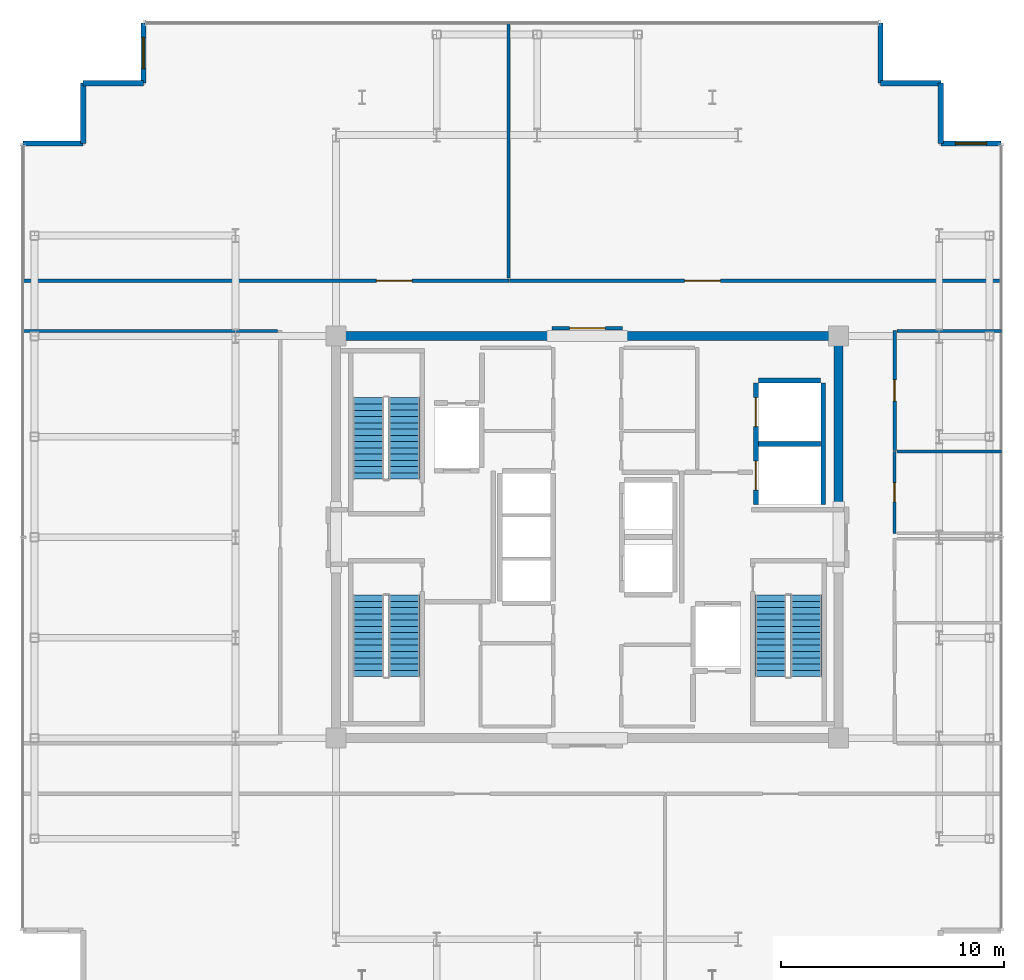
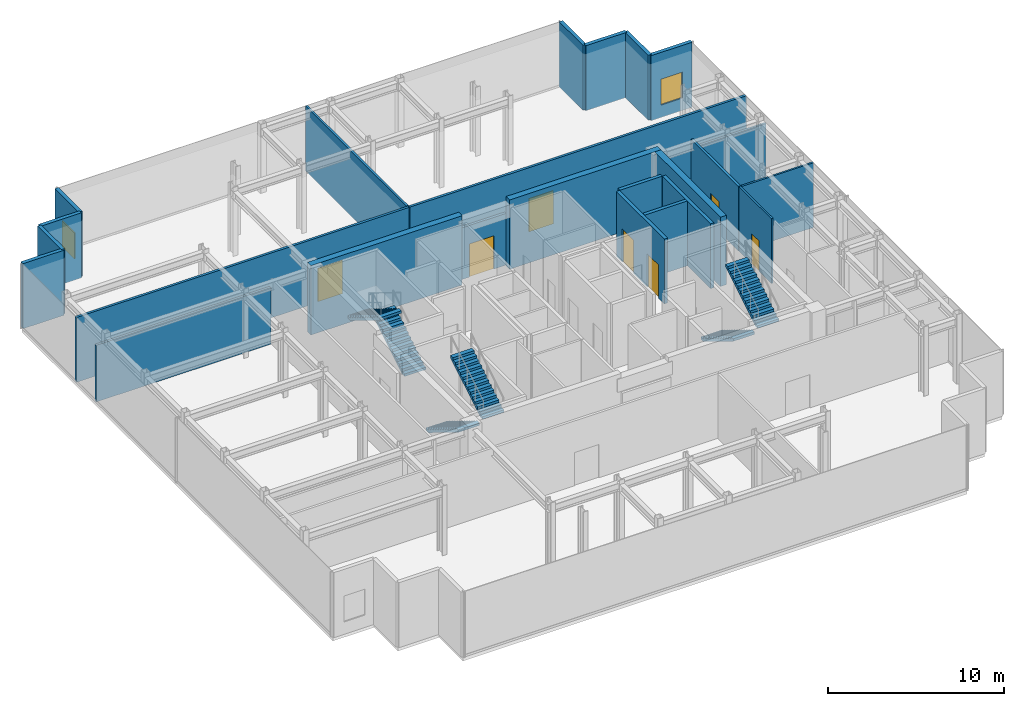
# One storey, part 15 of 17: 24 walls, 7 doors, 6 stair flights, 2 windows, 9 openings, 3 elements without a shape of their own.
"""IFC4 building model written with IfcOpenShell, lengths in metres."""

from ifc_helpers import new_model, si_unit, direction, frame, frame_2d, origin, place, context, subcontext, project, spatial, polyline, rectangle, outline, extrude, source, transform, mapped, material, layer, layer_set, type_object, element, fill, aggregate, save


model = new_model("IFC4")

# Units and contexts
model_context = context("Model", 3, precision=1e-05, world=origin(), true_north=direction((0.0, 1.0)))
body_context = subcontext(model_context, "Body", "Model", "MODEL_VIEW")
ifc_project = project(units=[si_unit("LENGTHUNIT", "METRE"), si_unit("AREAUNIT", "SQUARE_METRE"), si_unit("VOLUMEUNIT", "CUBIC_METRE"), si_unit("PLANEANGLEUNIT", "RADIAN"), si_unit("MASSUNIT", "GRAM", prefix="KILO")], contexts=[model_context])

# Site, building, storey
site_placement = place(None, origin())
site = spatial("IfcSite", under=ifc_project, at=site_placement, CompositionType="ELEMENT")
building_placement = place(site_placement, origin())
building = spatial("IfcBuilding", under=site, at=building_placement, Name="Nefas-Gora Pilgrimage Tower", CompositionType="ELEMENT")
storey_placement = place(building_placement, frame((0.0, 0.0, 349.0)))
storey = spatial("IfcBuildingStorey", under=building, at=storey_placement, Name="L88", CompositionType="ELEMENT", Elevation=349.0)

# Walls
ifc_material_1 = material(Name="Concrete C50/60", Category="concrete")
ifc_layer_1 = layer(ifc_material_1, 0.39990234375)
ifc_layer_set_1 = layer_set([ifc_layer_1], Name="Concrete C50/60")
wall_type_1 = type_object("IfcWallType", Name="SW-CORE-400", PredefinedType="SHEAR", material=ifc_layer_set_1)
shared_shape_1 = source(origin(), body_context, "Body", "SweptSolid", [
    extrude(rectangle(XDim=9.89990234375, YDim=0.39990234375, at=frame_2d((4.949951171875, 0.0))), origin(), (0.0, 0.0, 1.0), 4.800048828125),
])
for number, where, z_axis, x_axis, name in (
    (1, (-11.449951171875, 9.0, 0.0), (0.0, 0.0, 1.0), (1.0, 0.0, 0.0), "L88 Core Shear Wall N-West"),
    (2, (1.550048828125, 9.0, 0.0), (0.0, 0.0, 1.0), (1.0, 0.0, 0.0), "L88 Core Shear Wall N-East"),
):
    element("IfcWall", number, at=place(storey_placement, frame(where, z_axis=z_axis, x_axis=x_axis)), inside=storey, type_object=wall_type_1, Name=name, PredefinedType="SHEAR", context=body_context, shape_type="MappedRepresentation", body=[
        mapped(shared_shape_1, transform((0.0, 0.0, 0.0), x_axis=(1.0, 0.0, 0.0), y_axis=(0.0, 1.0, 0.0), z_axis=(0.0, 0.0, 1.0), scale=1.0)),
    ])
shared_shape_2 = source(origin(), body_context, "Body", "SweptSolid", [
    extrude(rectangle(XDim=7.449951171875, YDim=0.39990234375, at=frame_2d((3.72509765625, 0.0))), origin(), (0.0, 0.0, 1.0), 4.800048828125),
])
wall_1_placement = place(storey_placement, frame((11.25, 1.35009765625, 0.0), z_axis=(0.0, 0.0, 1.0), x_axis=(0.0, 1.0, 0.0)))
element("IfcWall", 3, at=wall_1_placement, inside=storey, type_object=wall_type_1, Name="L88 Core Shear Wall E-North", PredefinedType="SHEAR", context=body_context, shape_type="MappedRepresentation", body=[
    mapped(shared_shape_2, transform((0.0, 0.0, 0.0), x_axis=(1.0, 0.0, 0.0), y_axis=(0.0, 1.0, 0.0), z_axis=(0.0, 0.0, 1.0), scale=1.0)),
])

# Wall, opening, window
ifc_material_2 = material(Name="Precast concrete C45/55", Category="concrete")
ifc_layer_2 = layer(ifc_material_2, 0.239990234375)
ifc_layer_set_2 = layer_set([ifc_layer_2], Name="Precast concrete C45/55")
wall_type_2 = type_object("IfcWallType", Name="EW-SERR-240", PredefinedType="SHEAR", material=ifc_layer_set_2)
shared_shape_3 = source(origin(), body_context, "Body", "SweptSolid", [
    extrude(rectangle(XDim=2.699951171875, YDim=0.239990234375, at=frame_2d((1.35009765625, 0.0))), origin(), (0.0, 0.0, 1.0), 4.5),
])
wall_2_placement = place(storey_placement, frame((18.52001953125, 17.6201171875, 0.0), z_axis=(0.0, 0.0, 1.0), x_axis=(-1.0, 0.0, 0.0)))
wall_2 = element("IfcWall", 4, at=wall_2_placement, inside=storey, type_object=wall_type_2, Name="L88 Serrated Corner Shear Pier Wall 1", PredefinedType="SHEAR", context=body_context, shape_type="MappedRepresentation", body=[
    mapped(shared_shape_3, transform((0.0, 0.0, 0.0), x_axis=(1.0, 0.0, 0.0), y_axis=(0.0, 1.0, 0.0), z_axis=(0.0, 0.0, 1.0), scale=1.0)),
])
opening_1_placement = place(wall_2_placement, frame((0.64990234375, 0.0, 0.85009765625)))
opening_1 = element("IfcOpeningElement", 5, at=opening_1_placement, cuts=wall_2, Name="Opening W-V2", PredefinedType="OPENING", context=body_context, shape_type="SweptSolid", body=[
    extrude(rectangle(XDim=1.39990234375, YDim=1.800048828125, at=frame_2d((0.699951171875, 0.89990234375))), frame((0.0, 0.1298828125, 0.0), z_axis=(0.0, -1.0, 0.0), x_axis=(1.0, 0.0, 0.0)), (0.0, 0.0, 1.0), 0.260009765625),
])
ifc_material_3 = material(Name="Dark ceramic-fritted operable aluminium-glass window", Category="aluminium")
window_type = type_object("IfcWindowType", Name="WIN-VENT-1400x1800", PartitioningType="SINGLE_PANEL", PredefinedType="WINDOW", material=ifc_material_3)
shared_shape_4 = source(origin(), body_context, "Body", "SweptSolid", [
    extrude(rectangle(XDim=1.39990234375, YDim=1.800048828125, at=frame_2d((0.699951171875, 0.89990234375))), frame((0.0, 0.030029296875, 0.0), z_axis=(0.0, -1.0, 0.0), x_axis=(1.0, 0.0, 0.0)), (0.0, 0.0, 1.0), 0.06005859375),
])
window_1_placement = place(opening_1_placement, origin())
window_1 = element("IfcWindow", 6, at=window_1_placement, inside=storey, type_object=window_type, Name="L88 Operable Parallel-Outswing Window 1", OverallHeight=1.800048828125, OverallWidth=1.39990234375, PartitioningType="SINGLE_PANEL", PredefinedType="WINDOW", context=body_context, shape_type="MappedRepresentation", body=[
    mapped(shared_shape_4, transform((0.0, 0.0, 0.0), x_axis=(1.0, 0.0, 0.0), y_axis=(0.0, 1.0, 0.0), z_axis=(0.0, 0.0, 1.0), scale=1.0)),
])
fill(opening_1, window_1)

# Walls
for number, where, z_axis, x_axis, name in (
    (7, (15.820068359375, 17.6201171875, 0.0), (0.0, 0.0, 1.0), (0.0, 1.0, 0.0), "L88 Serrated Corner Shear Pier Wall 2"),
    (8, (15.820068359375, 20.320068359375, 0.0), (0.0, 0.0, 1.0), (-1.0, 0.0, 0.0), "L88 Serrated Corner Shear Pier Wall 3"),
    (9, (13.1201171875, 20.320068359375, 0.0), (0.0, 0.0, 1.0), (0.0, 1.0, 0.0), "L88 Serrated Corner Shear Pier Wall 4"),
):
    element("IfcWall", number, at=place(storey_placement, frame(where, z_axis=z_axis, x_axis=x_axis)), inside=storey, type_object=wall_type_2, Name=name, PredefinedType="SHEAR", context=body_context, shape_type="MappedRepresentation", body=[
        mapped(shared_shape_3, transform((0.0, 0.0, 0.0), x_axis=(1.0, 0.0, 0.0), y_axis=(0.0, 1.0, 0.0), z_axis=(0.0, 0.0, 1.0), scale=1.0)),
    ])

# Wall, opening, window
wall_3_placement = place(storey_placement, frame((-19.8701171875, 23.02001953125, 0.0), z_axis=(0.0, 0.0, 1.0), x_axis=(0.0, -1.0, 0.0)))
wall_3 = element("IfcWall", 10, at=wall_3_placement, inside=storey, type_object=wall_type_2, Name="L88 Serrated Corner Shear Pier Wall 5", PredefinedType="SHEAR", context=body_context, shape_type="MappedRepresentation", body=[
    mapped(shared_shape_3, transform((0.0, 0.0, 0.0), x_axis=(1.0, 0.0, 0.0), y_axis=(0.0, 1.0, 0.0), z_axis=(0.0, 0.0, 1.0), scale=1.0)),
])
opening_2_placement = place(wall_3_placement, frame((0.64990234375, 0.0, 0.85009765625)))
opening_2 = element("IfcOpeningElement", 11, at=opening_2_placement, cuts=wall_3, Name="Opening W-V2", PredefinedType="OPENING", context=body_context, shape_type="SweptSolid", body=[
    extrude(rectangle(XDim=1.39990234375, YDim=1.800048828125, at=frame_2d((0.699951171875, 0.89990234375))), frame((0.0, 0.1298828125, 0.0), z_axis=(0.0, -1.0, 0.0), x_axis=(1.0, 0.0, 0.0)), (0.0, 0.0, 1.0), 0.260009765625),
])
window_2_placement = place(opening_2_placement, origin())
window_2 = element("IfcWindow", 12, at=window_2_placement, inside=storey, type_object=window_type, Name="L88 Operable Parallel-Outswing Window 5", OverallHeight=1.800048828125, OverallWidth=1.39990234375, PartitioningType="SINGLE_PANEL", PredefinedType="WINDOW", context=body_context, shape_type="MappedRepresentation", body=[
    mapped(shared_shape_4, transform((0.0, 0.0, 0.0), x_axis=(1.0, 0.0, 0.0), y_axis=(0.0, 1.0, 0.0), z_axis=(0.0, 0.0, 1.0), scale=1.0)),
])
fill(opening_2, window_2)

# Walls
for number, where, z_axis, x_axis, name in (
    (13, (-19.8701171875, 20.320068359375, 0.0), (0.0, 0.0, 1.0), (-1.0, 0.0, 0.0), "L88 Serrated Corner Shear Pier Wall 6"),
    (14, (-22.570068359375, 20.320068359375, 0.0), (0.0, 0.0, 1.0), (0.0, -1.0, 0.0), "L88 Serrated Corner Shear Pier Wall 7"),
    (15, (-22.570068359375, 17.6201171875, 0.0), (0.0, 0.0, 1.0), (-1.0, 0.0, 0.0), "L88 Serrated Corner Shear Pier Wall 8"),
):
    element("IfcWall", number, at=place(storey_placement, frame(where, z_axis=z_axis, x_axis=x_axis)), inside=storey, type_object=wall_type_2, Name=name, PredefinedType="SHEAR", context=body_context, shape_type="MappedRepresentation", body=[
        mapped(shared_shape_3, transform((0.0, 0.0, 0.0), x_axis=(1.0, 0.0, 0.0), y_axis=(0.0, 1.0, 0.0), z_axis=(0.0, 0.0, 1.0), scale=1.0)),
    ])

# Wall, openings, doors
ifc_material_4 = material(Name="Concrete C40/50", Category="concrete")
ifc_layer_3 = layer(ifc_material_4, 0.219970703125)
ifc_layer_set_3 = layer_set([ifc_layer_3], Name="Concrete C40/50")
wall_type_3 = type_object("IfcWallType", Name="IW-SHAFT-220", PredefinedType="SOLIDWALL", material=ifc_layer_set_3)
shared_shape_5 = source(origin(), body_context, "Body", "SweptSolid", [
    extrude(rectangle(XDim=5.449951171875, YDim=0.219970703125, at=frame_2d((2.72509765625, 0.0))), origin(), (0.0, 0.0, 1.0), 4.485107421875),
])
wall_4_placement = place(storey_placement, frame((7.5400390625, 6.89990234375, 0.0), z_axis=(0.0, 0.0, 1.0), x_axis=(0.0, -1.0, 0.0)))
wall_4 = element("IfcWall", 16, at=wall_4_placement, inside=storey, type_object=wall_type_3, Name="L88 Hoistway Wall SL-01-02-W", PredefinedType="SOLIDWALL", context=body_context, shape_type="MappedRepresentation", body=[
    mapped(shared_shape_5, transform((0.0, 0.0, 0.0), x_axis=(1.0, 0.0, 0.0), y_axis=(0.0, 1.0, 0.0), z_axis=(0.0, 0.0, 1.0), scale=1.0)),
])
opening_3_placement = place(wall_4_placement, frame((3.5, 0.0, 0.0)))
opening_3 = element("IfcOpeningElement", 17, at=opening_3_placement, cuts=wall_4, Name="Opening LD-SV", PredefinedType="OPENING", context=body_context, shape_type="SweptSolid", body=[
    extrude(rectangle(XDim=1.300048828125, YDim=2.300048828125, at=frame_2d((0.64990234375, 1.14990234375))), frame((0.0, 0.119873046875, 0.0), z_axis=(0.0, -1.0, 0.0), x_axis=(1.0, 0.0, 0.0)), (0.0, 0.0, 1.0), 0.239990234375),
])
opening_4_placement = place(wall_4_placement, frame((0.64990234375, 0.0, 0.0)))
opening_4 = element("IfcOpeningElement", 18, at=opening_4_placement, cuts=wall_4, Name="Opening LD-SV", PredefinedType="OPENING", context=body_context, shape_type="SweptSolid", body=[
    extrude(rectangle(XDim=1.300048828125, YDim=2.300048828125, at=frame_2d((0.64990234375, 1.14990234375))), frame((0.0, 0.119873046875, 0.0), z_axis=(0.0, -1.0, 0.0), x_axis=(1.0, 0.0, 0.0)), (0.0, 0.0, 1.0), 0.239990234375),
])
ifc_material_5 = material(Name="Heavy goods sliding lift landing door")
door_type_1 = type_object("IfcDoorType", Name="DR-LIFT-SERV-1300", OperationType="SLIDING_TO_RIGHT", PredefinedType="DOOR", material=ifc_material_5)
shared_shape_6 = source(origin(), body_context, "Body", "SweptSolid", [
    extrude(rectangle(XDim=1.300048828125, YDim=2.300048828125, at=frame_2d((0.64990234375, 1.14990234375))), frame((0.0, 0.02490234375, 0.0), z_axis=(0.0, -1.0, 0.0), x_axis=(1.0, 0.0, 0.0)), (0.0, 0.0, 1.0), 0.050048828125),
])
door_1_placement = place(opening_3_placement, origin())
door_1 = element("IfcDoor", 19, at=door_1_placement, inside=storey, type_object=door_type_1, Name="L88 Sliding Lift Landing Door SL-01", OperationType="SLIDING_TO_RIGHT", OverallHeight=2.300048828125, OverallWidth=1.300048828125, PredefinedType="DOOR", context=body_context, shape_type="MappedRepresentation", body=[
    mapped(shared_shape_6, transform((0.0, 0.0, 0.0), x_axis=(1.0, 0.0, 0.0), y_axis=(0.0, 1.0, 0.0), z_axis=(0.0, 0.0, 1.0), scale=1.0)),
])
fill(opening_3, door_1)
door_2_placement = place(opening_4_placement, origin())
door_2 = element("IfcDoor", 20, at=door_2_placement, inside=storey, type_object=door_type_1, Name="L88 Sliding Lift Landing Door SL-02", OperationType="SLIDING_TO_RIGHT", OverallHeight=2.300048828125, OverallWidth=1.300048828125, PredefinedType="DOOR", context=body_context, shape_type="MappedRepresentation", body=[
    mapped(shared_shape_6, transform((0.0, 0.0, 0.0), x_axis=(1.0, 0.0, 0.0), y_axis=(0.0, 1.0, 0.0), z_axis=(0.0, 0.0, 1.0), scale=1.0)),
])
fill(opening_4, door_2)

# Walls
wall_5_placement = place(storey_placement, frame((10.56005859375, 1.449951171875, 0.0), z_axis=(0.0, 0.0, 1.0), x_axis=(0.0, 1.0, 0.0)))
element("IfcWall", 21, at=wall_5_placement, inside=storey, type_object=wall_type_3, Name="L88 Hoistway Wall SL-01-02-E", PredefinedType="SOLIDWALL", context=body_context, shape_type="MappedRepresentation", body=[
    mapped(shared_shape_5, transform((0.0, 0.0, 0.0), x_axis=(1.0, 0.0, 0.0), y_axis=(0.0, 1.0, 0.0), z_axis=(0.0, 0.0, 1.0), scale=1.0)),
])
shared_shape_7 = source(origin(), body_context, "Body", "SweptSolid", [
    extrude(rectangle(XDim=2.780029296875, YDim=0.219970703125, at=frame_2d((1.39013671875, 0.0))), origin(), (0.0, 0.0, 1.0), 4.485107421875),
])
for number, where, z_axis, x_axis, name in (
    (22, (7.659912109375, 4.175048828125, 0.0), (0.0, 0.0, 1.0), (1.0, 0.0, 0.0), "L88 Hoistway Wall SL-01-02-DIV"),
    (23, (10.43994140625, 7.010009765625, 0.0), (0.0, 0.0, 1.0), (-1.0, 0.0, 0.0), "L88 Hoistway Wall SL-02-N"),
):
    element("IfcWall", number, at=place(storey_placement, frame(where, z_axis=z_axis, x_axis=x_axis)), inside=storey, type_object=wall_type_3, Name=name, PredefinedType="SOLIDWALL", context=body_context, shape_type="MappedRepresentation", body=[
        mapped(shared_shape_7, transform((0.0, 0.0, 0.0), x_axis=(1.0, 0.0, 0.0), y_axis=(0.0, 1.0, 0.0), z_axis=(0.0, 0.0, 1.0), scale=1.0)),
    ])
ifc_material_6 = material(Name="Gypsum twin-stud partition")
ifc_layer_4 = layer(ifc_material_6, 0.139892578125)
ifc_layer_set_4 = layer_set([ifc_layer_4], Name="Gypsum twin-stud partition")
wall_type_4 = type_object("IfcWallType", Name="IW-UNIT-140", PredefinedType="PARTITIONING", material=ifc_layer_set_4)
shared_shape_8 = source(origin(), body_context, "Body", "SweptSolid", [
    extrude(rectangle(XDim=11.419921875, YDim=0.139892578125, at=frame_2d((5.7099609375, 0.0))), origin(), (0.0, 0.0, 1.0), 3.925048828125),
])
wall_6_placement = place(storey_placement, frame((-25.2900390625, 9.22998046875, 0.0), z_axis=(0.0, 0.0, 1.0), x_axis=(1.0, 0.0, 0.0)))
element("IfcWall", 24, at=wall_6_placement, inside=storey, type_object=wall_type_4, Name="L88 Heritage Exhibition Lounge Partition Wall 44", PredefinedType="PARTITIONING", context=body_context, shape_type="MappedRepresentation", body=[
    mapped(shared_shape_8, transform((0.0, 0.0, 0.0), x_axis=(1.0, 0.0, 0.0), y_axis=(0.0, 1.0, 0.0), z_axis=(0.0, 0.0, 1.0), scale=1.0)),
])

# Wall, opening, door
ifc_material_7 = material(Name="Gypsum acoustic stud partition")
ifc_layer_5 = layer(ifc_material_7, 0.159912109375)
ifc_layer_set_5 = layer_set([ifc_layer_5], Name="Gypsum acoustic stud partition")
wall_type_5 = type_object("IfcWallType", Name="IW-CORR-160", PredefinedType="PARTITIONING", material=ifc_layer_set_5)
shared_shape_9 = source(origin(), body_context, "Body", "SweptSolid", [
    extrude(rectangle(XDim=3.16015625, YDim=0.159912109375, at=frame_2d((1.580078125, 0.0))), origin(), (0.0, 0.0, 1.0), 3.574951171875),
])
wall_7_placement = place(storey_placement, frame((-1.580078125, 9.35009765625, 0.0), z_axis=(0.0, 0.0, 1.0), x_axis=(1.0, 0.0, 0.0)))
wall_7 = element("IfcWall", 25, at=wall_7_placement, inside=storey, type_object=wall_type_5, Name="L88 Central Lift Lobby North Portal Wall 16", PredefinedType="PARTITIONING", context=body_context, shape_type="MappedRepresentation", body=[
    mapped(shared_shape_9, transform((0.0, 0.0, 0.0), x_axis=(1.0, 0.0, 0.0), y_axis=(0.0, 1.0, 0.0), z_axis=(0.0, 0.0, 1.0), scale=1.0)),
])
opening_5_placement = place(wall_7_placement, frame((0.780029296875, 0.0, 0.0)))
opening_5 = element("IfcOpeningElement", 26, at=opening_5_placement, cuts=wall_7, Name="Opening ID-HL1", PredefinedType="OPENING", context=body_context, shape_type="SweptSolid", body=[
    extrude(rectangle(XDim=1.60009765625, YDim=2.300048828125, at=frame_2d((0.800048828125, 1.14990234375))), frame((0.0, 0.08984375, 0.0), z_axis=(0.0, -1.0, 0.0), x_axis=(1.0, 0.0, 0.0)), (0.0, 0.0, 1.0), 0.179931640625),
])
ifc_material_8 = material(Name="Double acoustic timber assembly hall door", Category="wood")
door_type_2 = type_object("IfcDoorType", Name="DR-INT-HALL-1600", OperationType="DOUBLE_DOOR_SINGLE_SWING", PredefinedType="DOOR", material=ifc_material_8)
shared_shape_10 = source(origin(), body_context, "Body", "SweptSolid", [
    extrude(rectangle(XDim=1.60009765625, YDim=2.300048828125, at=frame_2d((0.800048828125, 1.14990234375))), frame((0.0, 0.02490234375, 0.0), z_axis=(0.0, -1.0, 0.0), x_axis=(1.0, 0.0, 0.0)), (0.0, 0.0, 1.0), 0.050048828125),
])
door_3_placement = place(opening_5_placement, origin())
door_3 = element("IfcDoor", 27, at=door_3_placement, inside=storey, type_object=door_type_2, Name="L88 Central Lift Lobby North Portal Door 6", OperationType="DOUBLE_DOOR_SINGLE_SWING", OverallHeight=2.300048828125, OverallWidth=1.60009765625, PredefinedType="DOOR", context=body_context, shape_type="MappedRepresentation", body=[
    mapped(shared_shape_10, transform((0.0, 0.0, 0.0), x_axis=(1.0, 0.0, 0.0), y_axis=(0.0, 1.0, 0.0), z_axis=(0.0, 0.0, 1.0), scale=1.0)),
])
fill(opening_5, door_3)

shared_shape_11 = source(origin(), body_context, "Body", "SweptSolid", [
    extrude(rectangle(XDim=21.77001953125, YDim=0.159912109375, at=frame_2d((10.885009765625, 0.0))), origin(), (0.0, 0.0, 1.0), 4.485107421875),
])
wall_8_placement = place(storey_placement, frame((-25.2900390625, 11.47998046875, 0.0), z_axis=(0.0, 0.0, 1.0), x_axis=(1.0, 0.0, 0.0)))
wall_8 = element("IfcWall", 28, at=wall_8_placement, inside=storey, type_object=wall_type_5, Name="L88 Addis Ababa North Horizon Observation Deck Partition Wall 36", PredefinedType="PARTITIONING", context=body_context, shape_type="MappedRepresentation", body=[
    mapped(shared_shape_11, transform((0.0, 0.0, 0.0), x_axis=(1.0, 0.0, 0.0), y_axis=(0.0, 1.0, 0.0), z_axis=(0.0, 0.0, 1.0), scale=1.0)),
])
opening_6_placement = place(wall_8_placement, frame((15.840087890625, 0.0, 0.0)))
opening_6 = element("IfcOpeningElement", 29, at=opening_6_placement, cuts=wall_8, Name="Opening ID-HL1", PredefinedType="OPENING", context=body_context, shape_type="SweptSolid", body=[
    extrude(rectangle(XDim=1.60009765625, YDim=2.300048828125, at=frame_2d((0.800048828125, 1.14990234375))), frame((0.0, 0.08984375, 0.0), z_axis=(0.0, -1.0, 0.0), x_axis=(1.0, 0.0, 0.0)), (0.0, 0.0, 1.0), 0.179931640625),
])
door_4_placement = place(opening_6_placement, origin())
door_4 = element("IfcDoor", 30, at=door_4_placement, inside=storey, type_object=door_type_2, Name="L88 Addis Ababa North Horizon Observation Deck Door 15", OperationType="DOUBLE_DOOR_SINGLE_SWING", OverallHeight=2.300048828125, OverallWidth=1.60009765625, PredefinedType="DOOR", context=body_context, shape_type="MappedRepresentation", body=[
    mapped(shared_shape_10, transform((0.0, 0.0, 0.0), x_axis=(1.0, 0.0, 0.0), y_axis=(0.0, 1.0, 0.0), z_axis=(0.0, 0.0, 1.0), scale=1.0)),
])
fill(opening_6, door_4)

# Wall
shared_shape_12 = source(origin(), body_context, "Body", "SweptSolid", [
    extrude(rectangle(XDim=11.43994140625, YDim=0.139892578125, at=frame_2d((5.719970703125, 0.0))), origin(), (0.0, 0.0, 1.0), 4.485107421875),
])
wall_9_placement = place(storey_placement, frame((-3.530029296875, 11.60009765625, 0.0), z_axis=(0.0, 0.0, 1.0), x_axis=(0.0, 1.0, 0.0)))
element("IfcWall", 31, at=wall_9_placement, inside=storey, type_object=wall_type_4, Name="L88 Addis Ababa North Horizon Observation Deck Partition Wall 37", PredefinedType="PARTITIONING", context=body_context, shape_type="MappedRepresentation", body=[
    mapped(shared_shape_12, transform((0.0, 0.0, 0.0), x_axis=(1.0, 0.0, 0.0), y_axis=(0.0, 1.0, 0.0), z_axis=(0.0, 0.0, 1.0), scale=1.0)),
])

# Wall, opening, door
shared_shape_13 = source(origin(), body_context, "Body", "SweptSolid", [
    extrude(rectangle(XDim=22.02001953125, YDim=0.159912109375, at=frame_2d((11.010009765625, 0.0))), origin(), (0.0, 0.0, 1.0), 4.485107421875),
])
wall_10_placement = place(storey_placement, frame((-3.47998046875, 11.47998046875, 0.0), z_axis=(0.0, 0.0, 1.0), x_axis=(1.0, 0.0, 0.0)))
wall_10 = element("IfcWall", 32, at=wall_10_placement, inside=storey, type_object=wall_type_5, Name="L88 Entoto Ridge Viewing Gallery Partition Wall 38", PredefinedType="PARTITIONING", context=body_context, shape_type="MappedRepresentation", body=[
    mapped(shared_shape_13, transform((0.0, 0.0, 0.0), x_axis=(1.0, 0.0, 0.0), y_axis=(0.0, 1.0, 0.0), z_axis=(0.0, 0.0, 1.0), scale=1.0)),
])
opening_7_placement = place(wall_10_placement, frame((7.830078125, 0.0, 0.0)))
opening_7 = element("IfcOpeningElement", 33, at=opening_7_placement, cuts=wall_10, Name="Opening ID-HL1", PredefinedType="OPENING", context=body_context, shape_type="SweptSolid", body=[
    extrude(rectangle(XDim=1.60009765625, YDim=2.300048828125, at=frame_2d((0.800048828125, 1.14990234375))), frame((0.0, 0.08984375, 0.0), z_axis=(0.0, -1.0, 0.0), x_axis=(1.0, 0.0, 0.0)), (0.0, 0.0, 1.0), 0.179931640625),
])
door_5_placement = place(opening_7_placement, origin())
door_5 = element("IfcDoor", 34, at=door_5_placement, inside=storey, type_object=door_type_2, Name="L88 Entoto Ridge Viewing Gallery Door 16", OperationType="DOUBLE_DOOR_SINGLE_SWING", OverallHeight=2.300048828125, OverallWidth=1.60009765625, PredefinedType="DOOR", context=body_context, shape_type="MappedRepresentation", body=[
    mapped(shared_shape_10, transform((0.0, 0.0, 0.0), x_axis=(1.0, 0.0, 0.0), y_axis=(0.0, 1.0, 0.0), z_axis=(0.0, 0.0, 1.0), scale=1.0)),
])
fill(opening_7, door_5)

ifc_material_9 = material(Name="Moisture-resistant fire-rated gypsum partition")
ifc_layer_6 = layer(ifc_material_9, 0.1201171875)
ifc_layer_set_6 = layer_set([ifc_layer_6], Name="Moisture-resistant fire-rated gypsum partition")
wall_type_6 = type_object("IfcWallType", Name="IW-WET-120", PredefinedType="PLUMBINGWALL", material=ifc_layer_set_6)
shared_shape_14 = source(origin(), body_context, "Body", "SweptSolid", [
    extrude(rectangle(XDim=3.68017578125, YDim=0.1201171875, at=frame_2d((1.840087890625, 0.0))), origin(), (0.0, 0.0, 1.0), 4.485107421875),
])
wall_11_placement = place(storey_placement, frame((13.75, 0.159912109375, 0.0), z_axis=(0.0, 0.0, 1.0), x_axis=(0.0, 1.0, 0.0)))
wall_11 = element("IfcWall", 35, at=wall_11_placement, inside=storey, type_object=wall_type_6, Name="L88 Observation Accessible WC Partition Wall 45", PredefinedType="PLUMBINGWALL", context=body_context, shape_type="MappedRepresentation", body=[
    mapped(shared_shape_14, transform((0.0, 0.0, 0.0), x_axis=(1.0, 0.0, 0.0), y_axis=(0.0, 1.0, 0.0), z_axis=(0.0, 0.0, 1.0), scale=1.0)),
])
opening_8_placement = place(wall_11_placement, frame((1.4150390625, 0.0, 0.0)))
opening_8 = element("IfcOpeningElement", 36, at=opening_8_placement, cuts=wall_11, Name="Opening ID-BT1", PredefinedType="OPENING", context=body_context, shape_type="SweptSolid", body=[
    extrude(rectangle(XDim=0.85009765625, YDim=2.10009765625, at=frame_2d((0.425048828125, 1.050048828125))), frame((0.0, 0.070068359375, 0.0), z_axis=(0.0, -1.0, 0.0), x_axis=(1.0, 0.0, 0.0)), (0.0, 0.0, 1.0), 0.14013671875),
])
ifc_material_10 = material(Name="Moisture-resistant fire-rated timber door", Category="wood")
door_type_3 = type_object("IfcDoorType", Name="DR-INT-BATH-850", OperationType="NOTDEFINED", PredefinedType="DOOR", material=ifc_material_10)
shared_shape_15 = source(origin(), body_context, "Body", "SweptSolid", [
    extrude(rectangle(XDim=0.85009765625, YDim=2.10009765625, at=frame_2d((0.425048828125, 1.050048828125))), frame((0.0, 0.02490234375, 0.0), z_axis=(0.0, -1.0, 0.0), x_axis=(1.0, 0.0, 0.0)), (0.0, 0.0, 1.0), 0.050048828125),
])
door_6_placement = place(opening_8_placement, origin())
door_6 = element("IfcDoor", 37, at=door_6_placement, inside=storey, type_object=door_type_3, Name="L88 Observation Accessible WC Door 20", OperationType="SINGLE_SWING_RIGHT", OverallHeight=2.10009765625, OverallWidth=0.85009765625, PredefinedType="DOOR", context=body_context, shape_type="MappedRepresentation", body=[
    mapped(shared_shape_15, transform((0.0, 0.0, 0.0), x_axis=(1.0, 0.0, 0.0), y_axis=(0.0, 1.0, 0.0), z_axis=(0.0, 0.0, 1.0), scale=1.0)),
])
fill(opening_8, door_6)

# Wall
shared_shape_16 = source(origin(), body_context, "Body", "SweptSolid", [
    extrude(rectangle(XDim=4.68994140625, YDim=0.1201171875, at=frame_2d((2.344970703125, 0.0))), origin(), (0.0, 0.0, 1.0), 4.485107421875),
])
wall_12_placement = place(storey_placement, frame((13.85009765625, 3.830078125, 0.0), z_axis=(0.0, 0.0, 1.0), x_axis=(1.0, 0.0, 0.0)))
element("IfcWall", 38, at=wall_12_placement, inside=storey, type_object=wall_type_6, Name="L88 Observation Accessible WC Partition Wall 46", PredefinedType="PLUMBINGWALL", context=body_context, shape_type="MappedRepresentation", body=[
    mapped(shared_shape_16, transform((0.0, 0.0, 0.0), x_axis=(1.0, 0.0, 0.0), y_axis=(0.0, 1.0, 0.0), z_axis=(0.0, 0.0, 1.0), scale=1.0)),
])

# Wall, opening, door
shared_shape_17 = source(origin(), body_context, "Body", "SweptSolid", [
    extrude(rectangle(XDim=5.360107421875, YDim=0.159912109375, at=frame_2d((2.68017578125, 0.0))), origin(), (0.0, 0.0, 1.0), 4.485107421875),
])
wall_13_placement = place(storey_placement, frame((13.75, 3.8798828125, 0.0), z_axis=(0.0, 0.0, 1.0), x_axis=(0.0, 1.0, 0.0)))
wall_13 = element("IfcWall", 39, at=wall_13_placement, inside=storey, type_object=wall_type_5, Name="L88 Lookout Beverage Pantry Partition Wall 51", PredefinedType="PARTITIONING", context=body_context, shape_type="MappedRepresentation", body=[
    mapped(shared_shape_17, transform((0.0, 0.0, 0.0), x_axis=(1.0, 0.0, 0.0), y_axis=(0.0, 1.0, 0.0), z_axis=(0.0, 0.0, 1.0), scale=1.0)),
])
opening_9_placement = place(wall_13_placement, frame((2.205078125, 0.0, 0.0)))
opening_9 = element("IfcOpeningElement", 40, at=opening_9_placement, cuts=wall_13, Name="Opening ID-GR1", PredefinedType="OPENING", context=body_context, shape_type="SweptSolid", body=[
    extrude(rectangle(XDim=0.949951171875, YDim=2.10009765625, at=frame_2d((0.47509765625, 1.050048828125))), frame((0.0, 0.08984375, 0.0), z_axis=(0.0, -1.0, 0.0), x_axis=(1.0, 0.0, 0.0)), (0.0, 0.0, 1.0), 0.179931640625),
])
ifc_material_11 = material(Name="Solid core oak fire-rated guest entrance door")
door_type_4 = type_object("IfcDoorType", Name="DR-INT-GUEST-950", OperationType="NOTDEFINED", PredefinedType="DOOR", material=ifc_material_11)
shared_shape_18 = source(origin(), body_context, "Body", "SweptSolid", [
    extrude(rectangle(XDim=0.949951171875, YDim=2.10009765625, at=frame_2d((0.47509765625, 1.050048828125))), frame((0.0, 0.02490234375, 0.0), z_axis=(0.0, -1.0, 0.0), x_axis=(1.0, 0.0, 0.0)), (0.0, 0.0, 1.0), 0.050048828125),
])
door_7_placement = place(opening_9_placement, origin())
door_7 = element("IfcDoor", 41, at=door_7_placement, inside=storey, type_object=door_type_4, Name="L88 Lookout Beverage Pantry Door 22", OperationType="SINGLE_SWING_RIGHT", OverallHeight=2.10009765625, OverallWidth=0.949951171875, PredefinedType="DOOR", context=body_context, shape_type="MappedRepresentation", body=[
    mapped(shared_shape_18, transform((0.0, 0.0, 0.0), x_axis=(1.0, 0.0, 0.0), y_axis=(0.0, 1.0, 0.0), z_axis=(0.0, 0.0, 1.0), scale=1.0)),
])
fill(opening_9, door_7)

# Wall
shared_shape_19 = source(origin(), body_context, "Body", "SweptSolid", [
    extrude(rectangle(XDim=4.669921875, YDim=0.139892578125, at=frame_2d((2.3349609375, 0.0))), origin(), (0.0, 0.0, 1.0), 3.925048828125),
])
wall_14_placement = place(storey_placement, frame((13.8701171875, 9.22998046875, 0.0), z_axis=(0.0, 0.0, 1.0), x_axis=(1.0, 0.0, 0.0)))
element("IfcWall", 42, at=wall_14_placement, inside=storey, type_object=wall_type_4, Name="L88 Lookout Beverage Pantry Partition Wall 52", PredefinedType="PARTITIONING", context=body_context, shape_type="MappedRepresentation", body=[
    mapped(shared_shape_19, transform((0.0, 0.0, 0.0), x_axis=(1.0, 0.0, 0.0), y_axis=(0.0, 1.0, 0.0), z_axis=(0.0, 0.0, 1.0), scale=1.0)),
])

# Stair, stair flights
ifc_material_12 = material(Name="Concrete C45/55", Category="concrete")
stair_type = type_object("IfcStairType", Name="STR-1400-R1714", PredefinedType="HALF_TURN_STAIR", material=ifc_material_12)
stair_1_placement = place(storey_placement, origin())
stair_1 = element("IfcStair", 43, at=stair_1_placement, inside=storey, type_object=stair_type, Name="L88 Pressurised Tower Exit Stair ST-01", PredefinedType="HALF_TURN_STAIR")
stair_flight_type = type_object("IfcStairFlightType", Name="STF-1400-R1714", PredefinedType="STRAIGHT", material=ifc_material_12)
shared_shape_20 = source(origin(), body_context, "Body", "SweptSolid", [
    extrude(outline(polyline([(0.0, 0.0), (0.0, 0.17138671875), (0.280029296875, 0.17138671875), (0.280029296875, 0.3427734375), (0.56005859375, 0.3427734375), (0.56005859375, 0.514404296875), (0.840087890625, 0.514404296875), (0.840087890625, 0.685791015625), (1.1201171875, 0.685791015625), (1.1201171875, 0.857177734375), (1.39990234375, 0.857177734375), (1.39990234375, 1.028564453125), (1.679931640625, 1.028564453125), (1.679931640625, 1.199951171875), (1.9599609375, 1.199951171875), (1.9599609375, 1.371337890625), (2.239990234375, 1.371337890625), (2.239990234375, 1.54296875), (2.52001953125, 1.54296875), (2.52001953125, 1.71435546875), (2.800048828125, 1.71435546875), (2.800048828125, 1.8857421875), (3.080078125, 1.8857421875), (3.080078125, 2.05712890625), (3.360107421875, 2.05712890625), (3.360107421875, 2.228515625), (3.639892578125, 2.228515625), (3.639892578125, 2.39990234375), (3.639892578125, 2.052734375), (0.287109375, 0.0), (0.0, 0.0)])), frame((0.0, 0.699951171875, 0.0), z_axis=(0.0, -1.0, 0.0), x_axis=(1.0, 0.0, 0.0)), (0.0, 0.0, 1.0), 1.39990234375),
])
stair_flight_1_placement = place(storey_placement, frame((-8.199951171875, 2.60009765625, 0.0), z_axis=(0.0, 0.0, 1.0), x_axis=(0.0, 1.0, 0.0)))
stair_flight_1 = element("IfcStairFlight", 44, at=stair_flight_1_placement, type_object=stair_flight_type, Name="ST-01 flight 1", NumberOfRisers=14, NumberOfTreads=13, PredefinedType="STRAIGHT", RiserHeight=0.171428571, TreadLength=0.28, context=body_context, shape_type="MappedRepresentation", body=[
    mapped(shared_shape_20, transform((0.0, 0.0, 0.0), x_axis=(1.0, 0.0, 0.0), y_axis=(0.0, 1.0, 0.0), z_axis=(0.0, 0.0, 1.0), scale=1.0)),
])
stair_flight_2_placement = place(storey_placement, frame((-9.800048828125, 6.239990234375, 2.39990234375), z_axis=(0.0, 0.0, 1.0), x_axis=(0.0, -1.0, 0.0)))
stair_flight_2 = element("IfcStairFlight", 45, at=stair_flight_2_placement, type_object=stair_flight_type, Name="ST-01 flight 2", NumberOfRisers=14, NumberOfTreads=13, PredefinedType="STRAIGHT", RiserHeight=0.171428571, TreadLength=0.28, context=body_context, shape_type="MappedRepresentation", body=[
    mapped(shared_shape_20, transform((0.0, 0.0, 0.0), x_axis=(1.0, 0.0, 0.0), y_axis=(0.0, 1.0, 0.0), z_axis=(0.0, 0.0, 1.0), scale=1.0)),
])
aggregate(stair_1, [stair_flight_1, stair_flight_2])

stair_2_placement = place(storey_placement, origin())
stair_2 = element("IfcStair", 46, at=stair_2_placement, inside=storey, type_object=stair_type, Name="L88 Pressurised Tower Exit Stair ST-02", PredefinedType="HALF_TURN_STAIR")
stair_flight_3_placement = place(storey_placement, frame((8.199951171875, -2.60009765625, 0.0), z_axis=(0.0, 0.0, 1.0), x_axis=(0.0, -1.0, 0.0)))
stair_flight_3 = element("IfcStairFlight", 47, at=stair_flight_3_placement, type_object=stair_flight_type, Name="ST-02 flight 1", NumberOfRisers=14, NumberOfTreads=13, PredefinedType="STRAIGHT", RiserHeight=0.171428571, TreadLength=0.28, context=body_context, shape_type="MappedRepresentation", body=[
    mapped(shared_shape_20, transform((0.0, 0.0, 0.0), x_axis=(1.0, 0.0, 0.0), y_axis=(0.0, 1.0, 0.0), z_axis=(0.0, 0.0, 1.0), scale=1.0)),
])
stair_flight_4_placement = place(storey_placement, frame((9.800048828125, -6.239990234375, 2.39990234375), z_axis=(0.0, 0.0, 1.0), x_axis=(0.0, 1.0, 0.0)))
stair_flight_4 = element("IfcStairFlight", 48, at=stair_flight_4_placement, type_object=stair_flight_type, Name="ST-02 flight 2", NumberOfRisers=14, NumberOfTreads=13, PredefinedType="STRAIGHT", RiserHeight=0.171428571, TreadLength=0.28, context=body_context, shape_type="MappedRepresentation", body=[
    mapped(shared_shape_20, transform((0.0, 0.0, 0.0), x_axis=(1.0, 0.0, 0.0), y_axis=(0.0, 1.0, 0.0), z_axis=(0.0, 0.0, 1.0), scale=1.0)),
])
aggregate(stair_2, [stair_flight_3, stair_flight_4])

stair_3_placement = place(storey_placement, origin())
stair_3 = element("IfcStair", 49, at=stair_3_placement, inside=storey, type_object=stair_type, Name="L88 Pressurised Tower Exit Stair ST-03", PredefinedType="HALF_TURN_STAIR")
stair_flight_5_placement = place(storey_placement, frame((-9.800048828125, -2.60009765625, 0.0), z_axis=(0.0, 0.0, 1.0), x_axis=(0.0, -1.0, 0.0)))
stair_flight_5 = element("IfcStairFlight", 50, at=stair_flight_5_placement, type_object=stair_flight_type, Name="ST-03 flight 1", NumberOfRisers=14, NumberOfTreads=13, PredefinedType="STRAIGHT", RiserHeight=0.171428571, TreadLength=0.28, context=body_context, shape_type="MappedRepresentation", body=[
    mapped(shared_shape_20, transform((0.0, 0.0, 0.0), x_axis=(1.0, 0.0, 0.0), y_axis=(0.0, 1.0, 0.0), z_axis=(0.0, 0.0, 1.0), scale=1.0)),
])
stair_flight_6_placement = place(storey_placement, frame((-8.199951171875, -6.239990234375, 2.39990234375), z_axis=(0.0, 0.0, 1.0), x_axis=(0.0, 1.0, 0.0)))
stair_flight_6 = element("IfcStairFlight", 51, at=stair_flight_6_placement, type_object=stair_flight_type, Name="ST-03 flight 2", NumberOfRisers=14, NumberOfTreads=13, PredefinedType="STRAIGHT", RiserHeight=0.171428571, TreadLength=0.28, context=body_context, shape_type="MappedRepresentation", body=[
    mapped(shared_shape_20, transform((0.0, 0.0, 0.0), x_axis=(1.0, 0.0, 0.0), y_axis=(0.0, 1.0, 0.0), z_axis=(0.0, 0.0, 1.0), scale=1.0)),
])
aggregate(stair_3, [stair_flight_5, stair_flight_6])

save(model, "model.ifc")
